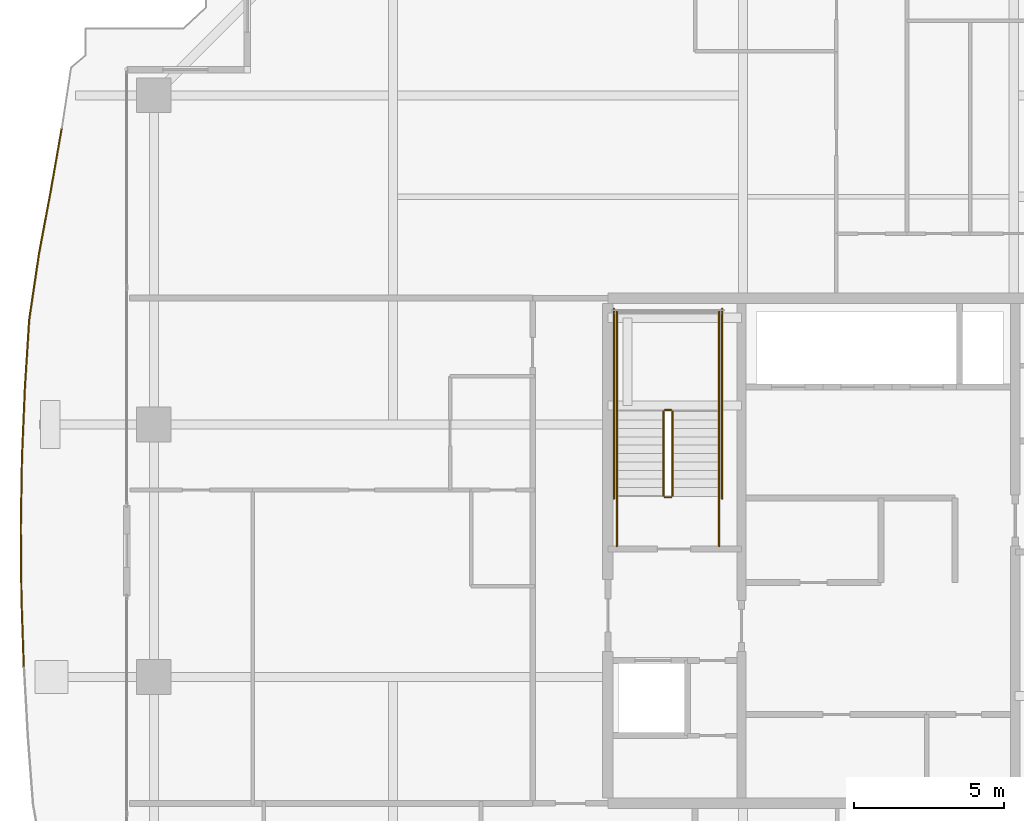
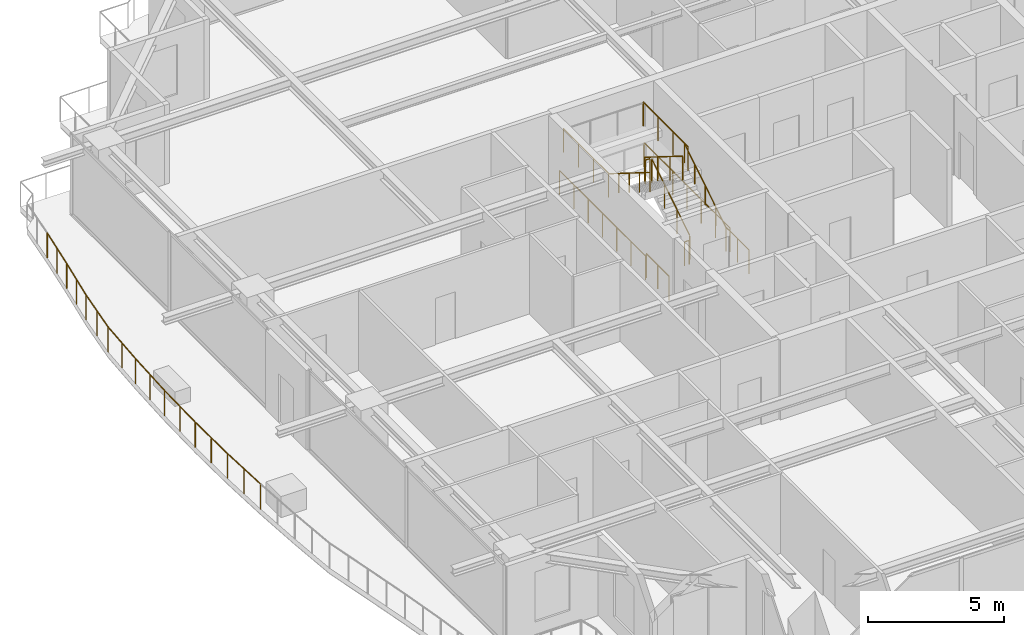
# One storey, part 36 of 40: 13 railings.
"""IFC4 building model written with IfcOpenShell, lengths in metres."""

from ifc_helpers import new_model, si_unit, direction, frame, origin, origin_2d, place, context, subcontext, project, spatial, circle, extrude, material, type_object, element, save


model = new_model("IFC4")

# Units and contexts
model_context = context("Model", 3, precision=1e-05, world=origin(), true_north=direction((0.0, 1.0)))
body_context = subcontext(model_context, "Body", "Model", "MODEL_VIEW")
ifc_project = project(units=[si_unit("LENGTHUNIT", "METRE"), si_unit("AREAUNIT", "SQUARE_METRE"), si_unit("VOLUMEUNIT", "CUBIC_METRE"), si_unit("PLANEANGLEUNIT", "RADIAN"), si_unit("MASSUNIT", "GRAM", prefix="KILO")], contexts=[model_context])

# Site, building, storey
site_placement = place(None, origin())
site = spatial("IfcSite", under=ifc_project, at=site_placement, CompositionType="ELEMENT")
building_placement = place(site_placement, origin())
building = spatial("IfcBuilding", under=site, at=building_placement, Name="Serunith Strait Residences", CompositionType="ELEMENT")
storey_placement = place(building_placement, frame((0.0, 0.0, 252.800048828125)))
storey = spatial("IfcBuildingStorey", under=building, at=storey_placement, Name="L63", CompositionType="ELEMENT", Elevation=252.800048828125)

# Railings
ifc_material_1 = material(Name="Stainless Steel & Laminated Glass Balustrade", Category="steel")
railing_type_1 = type_object("IfcRailingType", Name="RLG-BALC-1150", PredefinedType="BALUSTRADE", material=ifc_material_1)
railing_1_placement = place(storey_placement, frame((3.967529296875, 21.314208984375, -0.050048828125)))
element("IfcRailing", 1, at=railing_1_placement, inside=storey, type_object=railing_type_1, Name="L63 Swirling Balcony Perimeter Balustrade 2", PredefinedType="BALUSTRADE", context=body_context, shape_type="SweptSolid", body=[
    extrude(circle(Radius=0.02392578125, at=origin_2d()), frame((0.0, 0.001953125, 1.1259765625), z_axis=(-0.033900234009, 0.999425221882, 0.0), x_axis=(-0.999425221882, -0.033900234009, 0.0)), (0.0, 0.0, 1.0), 2.31494140625),
    extrude(circle(Radius=0.02392578125, at=origin_2d()), frame((-0.07861328125, 2.319580078125, 1.1259765625), z_axis=(-0.009014308789, 0.999959370293, 0.0), x_axis=(-0.999959370293, -0.009014308789, 0.0)), (0.0, 0.0, 1.0), 2.3251953125),
    extrude(circle(Radius=0.02392578125, at=origin_2d()), frame((-0.099609375, 4.648681640625, 1.1259765625), z_axis=(0.01668708523, 0.9998607609, 0.0), x_axis=(-0.9998607609, 0.01668708523, 0.0)), (0.0, 0.0, 1.0), 2.322265625),
    extrude(circle(Radius=0.02392578125, at=origin_2d()), frame((-0.060791015625, 6.974609375, 1.1259765625), z_axis=(0.041419585615, 0.999141840745, 0.0), x_axis=(-0.999141840745, 0.041419585615, 0.0)), (0.0, 0.0, 1.0), 2.306640625),
    extrude(circle(Radius=0.02392578125, at=origin_2d()), frame((0.03515625, 9.283203125, 1.1259765625), z_axis=(0.062837346969, 0.998023781193, 0.0), x_axis=(-0.998023781193, 0.062837346969, 0.0)), (0.0, 0.0, 1.0), 2.280517578125),
    extrude(circle(Radius=0.02392578125, at=origin_2d()), frame((0.1787109375, 11.563232421875, 1.1259765625), z_axis=(0.146708327231, 0.989179794942, 0.0), x_axis=(-0.989179794942, 0.146708327231, 0.0)), (0.0, 0.0, 1.0), 2.212646484375),
    extrude(circle(Radius=0.02392578125, at=origin_2d()), frame((0.504150390625, 13.755859375, 1.1259765625), z_axis=(0.18373897441, 0.98297507053, 0.0), x_axis=(-0.98297507053, 0.18373897441, 0.0)), (0.0, 0.0, 1.0), 2.141845703125),
    extrude(circle(Radius=0.02392578125, at=origin_2d()), frame((0.898193359375, 15.865234375, 1.1259765625), z_axis=(0.1721087893, 0.985077948513, 0.0), x_axis=(-0.985077948513, 0.1721087893, 0.0)), (0.0, 0.0, 1.0), 2.08984375),
    extrude(circle(Radius=0.02099609375, at=origin_2d()), origin(), (0.0, 0.0, 1.0), 1.099853515625),
    extrude(circle(Radius=0.02099609375, at=origin_2d()), frame((-0.039306640625, 1.15869140625, 0.0)), (0.0, 0.0, 1.0), 1.099853515625),
    extrude(circle(Radius=0.02099609375, at=origin_2d()), frame((-0.07861328125, 2.317626953125, 0.0)), (0.0, 0.0, 1.0), 1.099853515625),
    extrude(circle(Radius=0.02099609375, at=origin_2d()), frame((-0.089111328125, 3.482177734375, 0.0)), (0.0, 0.0, 1.0), 1.099853515625),
    extrude(circle(Radius=0.02099609375, at=origin_2d()), frame((-0.099609375, 4.646728515625, 0.0)), (0.0, 0.0, 1.0), 1.099853515625),
    extrude(circle(Radius=0.02099609375, at=origin_2d()), frame((-0.080078125, 5.8095703125, 0.0)), (0.0, 0.0, 1.0), 1.099853515625),
    extrude(circle(Radius=0.02099609375, at=origin_2d()), frame((-0.060791015625, 6.97265625, 0.0)), (0.0, 0.0, 1.0), 1.099853515625),
    extrude(circle(Radius=0.02099609375, at=origin_2d()), frame((-0.012939453125, 8.126953125, 0.0)), (0.0, 0.0, 1.0), 1.099853515625),
    extrude(circle(Radius=0.02099609375, at=origin_2d()), frame((0.034912109375, 9.28125, 0.0)), (0.0, 0.0, 1.0), 1.099853515625),
    extrude(circle(Radius=0.02099609375, at=origin_2d()), frame((0.106689453125, 10.42138671875, 0.0)), (0.0, 0.0, 1.0), 1.099853515625),
    extrude(circle(Radius=0.02099609375, at=origin_2d()), frame((0.178466796875, 11.561279296875, 0.0)), (0.0, 0.0, 1.0), 1.099853515625),
    extrude(circle(Radius=0.02099609375, at=origin_2d()), frame((0.341064453125, 12.65771484375, 0.0)), (0.0, 0.0, 1.0), 1.099853515625),
    extrude(circle(Radius=0.02099609375, at=origin_2d()), frame((0.503662109375, 13.75390625, 0.0)), (0.0, 0.0, 1.0), 1.099853515625),
    extrude(circle(Radius=0.02099609375, at=origin_2d()), frame((0.70068359375, 14.80859375, 0.0)), (0.0, 0.0, 1.0), 1.099853515625),
    extrude(circle(Radius=0.02099609375, at=origin_2d()), frame((0.89794921875, 15.86328125, 0.0)), (0.0, 0.0, 1.0), 1.099853515625),
    extrude(circle(Radius=0.02099609375, at=origin_2d()), frame((1.078125, 16.89453125, 0.0)), (0.0, 0.0, 1.0), 1.099853515625),
    extrude(circle(Radius=0.02099609375, at=origin_2d()), frame((1.25830078125, 17.92578125, 0.0)), (0.0, 0.0, 1.0), 1.099853515625),
])
ifc_material_2 = material(Name="Brushed stainless steel 316L", Category="steel")
railing_type_2 = type_object("IfcRailingType", Name="RLG-STAIR-GUARD", PredefinedType="BALUSTRADE", material=ifc_material_2)
railing_2_placement = place(storey_placement, frame((25.550048828125, 27.030029296875, 0.175048828125)))
element("IfcRailing", 2, at=railing_2_placement, inside=storey, type_object=railing_type_2, Name="L63 ST-1 stair guard 1", PredefinedType="BALUSTRADE", context=body_context, shape_type="SweptSolid", body=[
    extrude(circle(Radius=0.02392578125, at=origin_2d()), frame((0.0, 0.001708984375, 1.0771484375), z_axis=(0.0, 0.848002457836, 0.529992293815), x_axis=(-1.0, 0.0, 0.0)), (0.0, 0.0, 1.0), 3.2978515625),
    extrude(circle(Radius=0.02099609375, at=origin_2d()), origin(), (0.0, 0.0, 1.0), 1.050048828125),
    extrude(circle(Radius=0.02099609375, at=origin_2d()), frame((0.0, 0.933349609375, 0.583251953125)), (0.0, 0.0, 1.0), 1.050048828125),
    extrude(circle(Radius=0.02099609375, at=origin_2d()), frame((0.0, 1.86669921875, 1.166748046875)), (0.0, 0.0, 1.0), 1.050048828125),
    extrude(circle(Radius=0.02099609375, at=origin_2d()), frame((0.0, 2.800048828125, 1.75)), (0.0, 0.0, 1.0), 1.050048828125),
])
railing_3_placement = place(storey_placement, frame((25.5, 29.8798828125, 1.925048828125)))
element("IfcRailing", 3, at=railing_3_placement, inside=storey, type_object=railing_type_2, Name="L63 ST-1 stair guard 2", PredefinedType="BALUSTRADE", context=body_context, shape_type="SweptSolid", body=[
    extrude(circle(Radius=0.02392578125, at=origin_2d()), frame((-0.001953125, 0.0, 1.076171875), z_axis=(-1.0, 0.0, 0.0), x_axis=(0.0, -1.0, 0.0)), (0.0, 0.0, 1.0), 0.196044921875),
    extrude(circle(Radius=0.02099609375, at=origin_2d()), origin(), (0.0, 0.0, 1.0), 1.050048828125),
    extrude(circle(Radius=0.02099609375, at=origin_2d()), frame((-0.199951171875, 0.0, 0.0)), (0.0, 0.0, 1.0), 1.050048828125),
])
for number, where, name in (
    (4, (27.10009765625, 29.830078125, 1.925048828125), "L63 ST-1 stair guard 3"),
    (5, (23.699951171875, 29.830078125, 1.925048828125), "L63 ST-1 stair guard 4"),
):
    element("IfcRailing", number, at=place(storey_placement, frame(where)), inside=storey, type_object=railing_type_2, Name=name, PredefinedType="BALUSTRADE", context=body_context, shape_type="SweptSolid", body=[
        extrude(circle(Radius=0.02392578125, at=origin_2d()), frame((0.0, 0.001953125, 1.076171875), z_axis=(0.0, 1.0, 0.0), x_axis=(-1.0, 0.0, 0.0)), (0.0, 0.0, 1.0), 3.31591796875),
        extrude(circle(Radius=0.02099609375, at=origin_2d()), origin(), (0.0, 0.0, 1.0), 1.050048828125),
        extrude(circle(Radius=0.02099609375, at=origin_2d()), frame((0.0, 1.106689453125, 0.0)), (0.0, 0.0, 1.0), 1.050048828125),
        extrude(circle(Radius=0.02099609375, at=origin_2d()), frame((0.0, 2.213134765625, 0.0)), (0.0, 0.0, 1.0), 1.050048828125),
        extrude(circle(Radius=0.02099609375, at=origin_2d()), frame((0.0, 3.31982421875, 0.0)), (0.0, 0.0, 1.0), 1.050048828125),
    ])
railing_4_placement = place(storey_placement, frame((25.25, 29.830078125, 2.099853515625)))
element("IfcRailing", 6, at=railing_4_placement, inside=storey, type_object=railing_type_2, Name="L63 ST-1 stair guard 6", PredefinedType="BALUSTRADE", context=body_context, shape_type="SweptSolid", body=[
    extrude(circle(Radius=0.02392578125, at=origin_2d()), frame((0.0, -0.001708984375, 1.0771484375), z_axis=(0.0, -0.848002457836, 0.529992293815), x_axis=(1.0, 0.0, 0.0)), (0.0, 0.0, 1.0), 3.2978515625),
    extrude(circle(Radius=0.02099609375, at=origin_2d()), origin(), (0.0, 0.0, 1.0), 1.050048828125),
    extrude(circle(Radius=0.02099609375, at=origin_2d()), frame((0.0, -0.933349609375, 0.583251953125)), (0.0, 0.0, 1.0), 1.050048828125),
    extrude(circle(Radius=0.02099609375, at=origin_2d()), frame((0.0, -1.86669921875, 1.166748046875)), (0.0, 0.0, 1.0), 1.050048828125),
    extrude(circle(Radius=0.02099609375, at=origin_2d()), frame((0.0, -2.800048828125, 1.75)), (0.0, 0.0, 1.0), 1.050048828125),
])
railing_5_placement = place(storey_placement, frame((25.5, 26.97998046875, 0.0)))
element("IfcRailing", 7, at=railing_5_placement, inside=storey, type_object=railing_type_2, Name="L63 ST-1 stair guard 7", PredefinedType="BALUSTRADE", context=body_context, shape_type="SweptSolid", body=[
    extrude(circle(Radius=0.02392578125, at=origin_2d()), frame((-0.001953125, 0.0, 1.076171875), z_axis=(-1.0, 0.0, 0.0), x_axis=(0.0, -1.0, 0.0)), (0.0, 0.0, 1.0), 0.196044921875),
    extrude(circle(Radius=0.02099609375, at=origin_2d()), origin(), (0.0, 0.0, 1.0), 1.050048828125),
    extrude(circle(Radius=0.02099609375, at=origin_2d()), frame((-0.199951171875, 0.0, 0.0)), (0.0, 0.0, 1.0), 1.050048828125),
])
for number, where, name in (
    (8, (27.10009765625, 25.35009765625, 0.0), "L63 ST-1 stair guard 8"),
    (9, (23.699951171875, 25.35009765625, 0.0), "L63 ST-1 stair guard 9"),
):
    element("IfcRailing", number, at=place(storey_placement, frame(where)), inside=storey, type_object=railing_type_2, Name=name, PredefinedType="BALUSTRADE", context=body_context, shape_type="SweptSolid", body=[
        extrude(circle(Radius=0.02392578125, at=origin_2d()), frame((0.0, 0.001953125, 1.076171875), z_axis=(0.0, 1.0, 0.0), x_axis=(-1.0, 0.0, 0.0)), (0.0, 0.0, 1.0), 1.676025390625),
        extrude(circle(Radius=0.02099609375, at=origin_2d()), origin(), (0.0, 0.0, 1.0), 1.050048828125),
        extrude(circle(Radius=0.02099609375, at=origin_2d()), frame((0.0, 0.83984375, 0.0)), (0.0, 0.0, 1.0), 1.050048828125),
        extrude(circle(Radius=0.02099609375, at=origin_2d()), frame((0.0, 1.679931640625, 0.0)), (0.0, 0.0, 1.0), 1.050048828125),
    ])
for number, where, name in (
    (10, (27.199951171875, 26.929931640625, 0.0), "L63 ST-1 stair guard 10"),
    (11, (23.60009765625, 26.929931640625, 0.0), "L63 ST-1 stair guard 11"),
):
    element("IfcRailing", number, at=place(storey_placement, frame(where)), inside=storey, type_object=railing_type_2, Name=name, PredefinedType="BALUSTRADE", context=body_context, shape_type="SweptSolid", body=[
        extrude(circle(Radius=0.02392578125, at=origin_2d()), frame((0.0, 0.001953125, 1.076171875), z_axis=(0.0, 1.0, 0.0), x_axis=(-1.0, 0.0, 0.0)), (0.0, 0.0, 1.0), 6.316162109375),
        extrude(circle(Radius=0.02099609375, at=origin_2d()), origin(), (0.0, 0.0, 1.0), 1.050048828125),
        extrude(circle(Radius=0.02099609375, at=origin_2d()), frame((0.0, 1.05322265625, 0.0)), (0.0, 0.0, 1.0), 1.050048828125),
        extrude(circle(Radius=0.02099609375, at=origin_2d()), frame((0.0, 2.106689453125, 0.0)), (0.0, 0.0, 1.0), 1.050048828125),
        extrude(circle(Radius=0.02099609375, at=origin_2d()), frame((0.0, 3.16015625, 0.0)), (0.0, 0.0, 1.0), 1.050048828125),
        extrude(circle(Radius=0.02099609375, at=origin_2d()), frame((0.0, 4.21337890625, 0.0)), (0.0, 0.0, 1.0), 1.050048828125),
        extrude(circle(Radius=0.02099609375, at=origin_2d()), frame((0.0, 5.2666015625, 0.0)), (0.0, 0.0, 1.0), 1.050048828125),
        extrude(circle(Radius=0.02099609375, at=origin_2d()), frame((0.0, 6.320068359375, 0.0)), (0.0, 0.0, 1.0), 1.050048828125),
    ])
railing_type_3 = type_object("IfcRailingType", Name="RLG-STAIR-HR", PredefinedType="HANDRAIL", material=ifc_material_2)
railing_6_placement = place(storey_placement, frame((27.10009765625, 27.030029296875, 0.175048828125)))
element("IfcRailing", 12, at=railing_6_placement, inside=storey, type_object=railing_type_3, Name="L63 ST-1 stair handrail 1", PredefinedType="HANDRAIL", context=body_context, shape_type="SweptSolid", body=[
    extrude(circle(Radius=0.02392578125, at=origin_2d()), frame((0.0, 0.001708984375, 0.876953125), z_axis=(0.0, 0.847393994688, 0.530964610654), x_axis=(-1.0, 0.0, 0.0)), (0.0, 0.0, 1.0), 3.630859375),
    extrude(circle(Radius=0.02099609375, at=origin_2d()), origin(), (0.0, 0.0, 1.0), 0.849853515625),
    extrude(circle(Radius=0.02099609375, at=origin_2d()), frame((0.0, 0.77001953125, 0.482421875)), (0.0, 0.0, 1.0), 0.849853515625),
    extrude(circle(Radius=0.02099609375, at=origin_2d()), frame((0.0, 1.5400390625, 0.96484375)), (0.0, 0.0, 1.0), 0.849853515625),
    extrude(circle(Radius=0.02099609375, at=origin_2d()), frame((0.0, 2.31005859375, 1.447509765625)), (0.0, 0.0, 1.0), 0.849853515625),
    extrude(circle(Radius=0.02099609375, at=origin_2d()), frame((0.0, 3.080078125, 1.929931640625)), (0.0, 0.0, 1.0), 0.849853515625),
])
railing_7_placement = place(storey_placement, frame((23.699951171875, 29.830078125, 2.099853515625)))
element("IfcRailing", 13, at=railing_7_placement, inside=storey, type_object=railing_type_3, Name="L63 ST-1 stair handrail 2", PredefinedType="HANDRAIL", context=body_context, shape_type="SweptSolid", body=[
    extrude(circle(Radius=0.02392578125, at=origin_2d()), frame((0.0, -0.001708984375, 0.876953125), z_axis=(0.0, -0.847363772988, 0.531012839984), x_axis=(1.0, 0.0, 0.0)), (0.0, 0.0, 1.0), 3.630859375),
    extrude(circle(Radius=0.02099609375, at=origin_2d()), origin(), (0.0, 0.0, 1.0), 0.849853515625),
    extrude(circle(Radius=0.02099609375, at=origin_2d()), frame((0.0, -0.77001953125, 0.482421875)), (0.0, 0.0, 1.0), 0.849853515625),
    extrude(circle(Radius=0.02099609375, at=origin_2d()), frame((0.0, -1.5400390625, 0.965087890625)), (0.0, 0.0, 1.0), 0.849853515625),
    extrude(circle(Radius=0.02099609375, at=origin_2d()), frame((0.0, -2.31005859375, 1.44775390625)), (0.0, 0.0, 1.0), 0.849853515625),
    extrude(circle(Radius=0.02099609375, at=origin_2d()), frame((0.0, -3.080078125, 1.93017578125)), (0.0, 0.0, 1.0), 0.849853515625),
])

save(model, "model.ifc")
